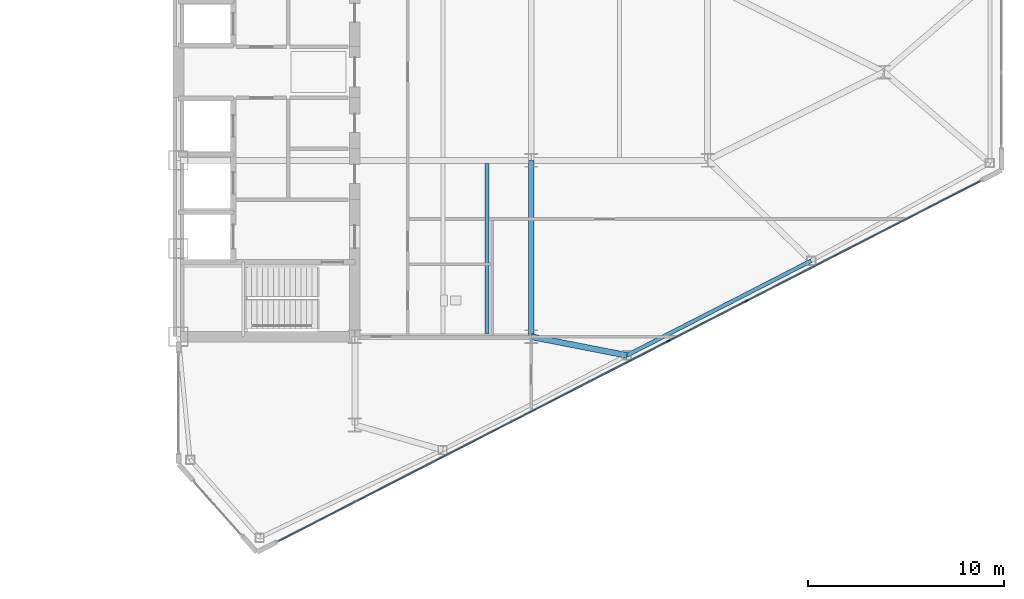
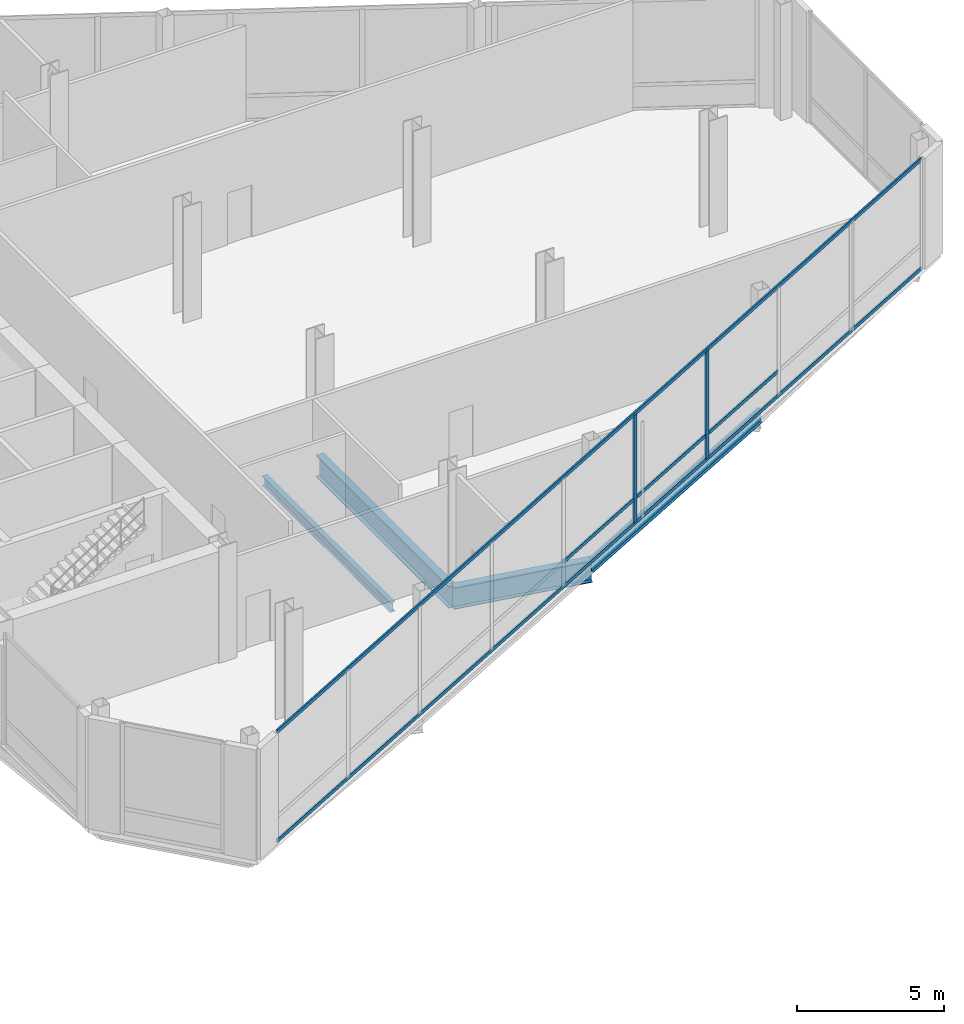
# One storey, part 9 of 22: 7 members, 4 beams, 1 element without a shape of its own.
"""IFC4 building model written with IfcOpenShell, lengths in metres."""

import ifcopenshell
import ifcopenshell.guid

model = None  # the IFC model being written
_history = None  # IfcOwnerHistory: only IFC2X3 demands one
_inside = {}  # id of a spatial element -> (the spatial element, [elements in it])
_under = {}  # id of a project, library or spatial element -> (it, [spatial elements below it])
_declared = {}  # id of a project -> (the project, [libraries it declares])
_typed = {}  # id of a type object -> (the type object, [elements of that type])
_made_of = {}  # id of a material, layer set ... -> (it, [elements and type objects made of it])


def new_model(schema):
    """Start an empty IFC model of exactly this schema.

    Asked for "IFC4X3", IfcOpenShell would pick the latest addendum, in which some entities
    have other attributes; the version numbers below select the first issue.
    IFC2X3 requires an IfcOwnerHistory on every rooted entity: one is made here for all.
    """
    global model, _history
    if schema == "IFC4X3":
        model = ifcopenshell.file(schema_version=(4, 3, 0, 0))
    else:
        model = ifcopenshell.file(schema=schema)
    _inside.clear()
    _under.clear()
    _declared.clear()
    _typed.clear()
    _made_of.clear()
    _history = None
    if model.schema == "IFC2X3":
        org = make("IfcOrganization", Name="unknown")
        user = make(
            "IfcPersonAndOrganization",
            ThePerson=make("IfcPerson", FamilyName="unknown"),
            TheOrganization=org,
        )
        app = make(
            "IfcApplication",
            ApplicationDeveloper=org,
            Version="unknown",
            ApplicationFullName="unknown",
            ApplicationIdentifier="unknown",
        )
        _history = make(
            "IfcOwnerHistory",
            OwningUser=user,
            OwningApplication=app,
            ChangeAction="ADDED",
            CreationDate=0,
        )
    return model


def make(cls, **values):
    """One entity of the class cls with the attributes given. An attribute that is None is left unset."""
    return model.create_entity(
        cls, **{name: value for name, value in values.items() if value is not None}
    )


def rooted(cls, **values):
    """An entity with a GlobalId (a new one), such as an element, a storey or a relation."""
    return make(cls, GlobalId=ifcopenshell.guid.new(), OwnerHistory=_history, **values)


def si_unit(unit_type, name, prefix=None):
    """IfcSIUnit, for example si_unit("LENGTHUNIT", "METRE", prefix="MILLI")."""
    return make("IfcSIUnit", UnitType=unit_type, Prefix=prefix, Name=name)


def assignment(units):
    """IfcUnitAssignment: the units of a project."""
    return None if units is None else make("IfcUnitAssignment", Units=units)


def point(xyz):
    """IfcCartesianPoint."""
    return None if xyz is None else make("IfcCartesianPoint", Coordinates=xyz)


def direction(xyz):
    """IfcDirection."""
    return None if xyz is None else make("IfcDirection", DirectionRatios=xyz)


def frame(location, z_axis=None, x_axis=None):
    """IfcAxis2Placement3D, a coordinate frame: its origin and axes. An axis left out is left unset."""
    return make(
        "IfcAxis2Placement3D",
        Location=point(location),
        Axis=direction(z_axis),
        RefDirection=direction(x_axis),
    )


def frame_2d(location, x_axis=None):
    """IfcAxis2Placement2D, a coordinate frame in the plane: its origin and x axis."""
    return make(
        "IfcAxis2Placement2D", Location=point(location), RefDirection=direction(x_axis)
    )


def origin():
    """The frame at (0, 0, 0) with its axes left unset."""
    return frame((0.0, 0.0, 0.0))


def origin_2d():
    """The frame at (0, 0) in the plane with its x axis left unset."""
    return frame_2d((0.0, 0.0))


def place(relative_to, where):
    """IfcLocalPlacement: puts the frame where relative to a parent placement (None: the world)."""
    return make(
        "IfcLocalPlacement", PlacementRelTo=relative_to, RelativePlacement=where
    )


def context(
    kind, dimensions, precision=None, world=None, true_north=None, identifier=None
):
    """IfcGeometricRepresentationContext, for example the 3D "Model" context."""
    return make(
        "IfcGeometricRepresentationContext",
        ContextIdentifier=identifier,
        ContextType=kind,
        CoordinateSpaceDimension=dimensions,
        Precision=precision,
        WorldCoordinateSystem=world,
        TrueNorth=true_north,
    )


def subcontext(parent, identifier, kind, view, scale=None):
    """IfcGeometricRepresentationSubContext, for example "Body" below "Model"."""
    return make(
        "IfcGeometricRepresentationSubContext",
        ContextIdentifier=identifier,
        ContextType=kind,
        ParentContext=parent,
        TargetScale=scale,
        TargetView=view,
    )


def project(units=None, contexts=None):
    """IfcProject with its units and contexts."""
    return rooted(
        "IfcProject",
        Name="project",
        RepresentationContexts=contexts,
        UnitsInContext=assignment(units),
    )


def spatial(cls, under=None, at=None, **own):
    """A site, building, storey or space (cls), placed at a placement, below another one or the project."""
    s = rooted(cls, ObjectPlacement=at, **own)
    if under is not None:
        _under.setdefault(under.id(), (under, []))[1].append(s)
    return s


def profile(cls, at=None, kind="AREA", **sizes):
    """A parametric profile (cls). Its sizes go by their IFC names, for example OverallWidth=200.0."""
    return make(cls, ProfileType=kind, Position=at, **sizes)


def rectangle(**sizes):
    """IfcRectangleProfileDef."""
    return profile("IfcRectangleProfileDef", **sizes)


def i_section(**sizes):
    """IfcIShapeProfileDef."""
    return profile("IfcIShapeProfileDef", **sizes)


def extrude(swept, where, along, depth):
    """IfcExtrudedAreaSolid: the profile swept, set in the frame where, extruded along a direction by depth."""
    return make(
        "IfcExtrudedAreaSolid",
        SweptArea=swept,
        Position=where,
        ExtrudedDirection=direction(along),
        Depth=depth,
    )


def shape(context_of_items, identifier, shape_type, items):
    """IfcShapeRepresentation: the items that make up one representation, for example the "Body"."""
    return make(
        "IfcShapeRepresentation",
        ContextOfItems=context_of_items,
        RepresentationIdentifier=identifier,
        RepresentationType=shape_type,
        Items=items,
    )


def source(mapping_origin, context_of_items, identifier, shape_type, items):
    """IfcRepresentationMap: a shape defined once, which mapped items show again and again."""
    return make(
        "IfcRepresentationMap",
        MappingOrigin=mapping_origin,
        MappedRepresentation=shape(context_of_items, identifier, shape_type, items),
    )


def transform(
    local_origin,
    x_axis=None,
    y_axis=None,
    z_axis=None,
    scale=None,
    scale2=None,
    scale3=None,
    uniform=True,
):
    """IfcCartesianTransformationOperator3D, or its non-uniform kind. x_axis, y_axis, z_axis: its Axis1, 2, 3."""
    if uniform:
        return make(
            "IfcCartesianTransformationOperator3D",
            Axis1=direction(x_axis),
            Axis2=direction(y_axis),
            LocalOrigin=point(local_origin),
            Scale=scale,
            Axis3=direction(z_axis),
        )
    return make(
        "IfcCartesianTransformationOperator3DnonUniform",
        Axis1=direction(x_axis),
        Axis2=direction(y_axis),
        LocalOrigin=point(local_origin),
        Scale=scale,
        Axis3=direction(z_axis),
        Scale2=scale2,
        Scale3=scale3,
    )


def mapped(mapping_source, mapping_target):
    """IfcMappedItem: shows the shape of a source again, moved by a transform."""
    return make(
        "IfcMappedItem", MappingSource=mapping_source, MappingTarget=mapping_target
    )


def material(Name=None, Category=None):
    """IfcMaterial."""
    return make("IfcMaterial", Name=Name, Category=Category)


def layer(
    of_material, thickness, ventilated=None, Name=None, Category=None, Priority=None
):
    """IfcMaterialLayer: one layer of a wall or slab, of a material (None: an air gap)."""
    return make(
        "IfcMaterialLayer",
        Material=of_material,
        LayerThickness=thickness,
        IsVentilated=ventilated,
        Name=Name,
        Category=Category,
        Priority=Priority,
    )


def layer_set(layers, Name=None):
    """IfcMaterialLayerSet."""
    return make("IfcMaterialLayerSet", MaterialLayers=layers, LayerSetName=Name)


def material_profile(
    of_material, cross_section, Name=None, Category=None, Priority=None
):
    """IfcMaterialProfile: a cross section and its material."""
    return make(
        "IfcMaterialProfile",
        Name=Name,
        Material=of_material,
        Profile=cross_section,
        Priority=Priority,
        Category=Category,
    )


def profile_set(profiles, Name=None, composite=None):
    """IfcMaterialProfileSet."""
    return make(
        "IfcMaterialProfileSet",
        Name=Name,
        MaterialProfiles=profiles,
        CompositeProfile=composite,
    )


def made_of(thing, what):
    """Note that an element or type object is made of a material, layer set ...; save() writes the relation."""
    if what is not None:
        _made_of.setdefault(what.id(), (what, []))[1].append(thing)
    return thing


def type_object(cls, material=None, **own):
    """A type object (cls), such as IfcWallType, which elements share."""
    return made_of(rooted(cls, **own), material)


def type_shapes(of_type, sources):
    """Give a type object the sources (RepresentationMaps) that its elements show as mapped items."""
    of_type.RepresentationMaps = sources


def element(
    cls,
    number,
    at=None,
    inside=None,
    cuts=None,
    type_object=None,
    material=None,
    context=None,
    identifier="Body",
    shape_type=None,
    held_by="IfcProductDefinitionShape",
    body=None,
    shapes=None,
    **own,
):
    """One element of the class cls, such as IfcWall. Its Tag is "e" and its number.

    at: its placement. inside: the storey or other place that contains it. cuts: it is an
    opening in that element (IfcRelVoidsElement). A single representation is given by context,
    identifier, shape_type and body (its items); several are given by shapes. held_by: the class
    of the entity that holds the representations. save() writes the other relations.
    """
    e = rooted(cls, Tag="e%d" % number, ObjectPlacement=at, **own)
    if body is not None:
        shapes = [shape(context, identifier, shape_type, body)]
    if shapes is not None:
        e.Representation = make(held_by, Representations=shapes)
    if inside is not None:
        _inside.setdefault(inside.id(), (inside, []))[1].append(e)
    if cuts is not None:
        rooted(
            "IfcRelVoidsElement", RelatingBuildingElement=cuts, RelatedOpeningElement=e
        )
    if type_object is not None:
        _typed.setdefault(type_object.id(), (type_object, []))[1].append(e)
    return made_of(e, material)


def aggregate(whole, parts):
    """IfcRelAggregates: a whole, such as a stair, and the parts it consists of."""
    return rooted("IfcRelAggregates", RelatingObject=whole, RelatedObjects=parts)


def save(model, path):
    """Write the relations noted so far, then the file.

    IfcRelAggregates (storeys below a building ...), IfcRelContainedInSpatialStructure (elements
    in a storey), IfcRelDefinesByType, IfcRelAssociatesMaterial and IfcRelDeclares: one each for
    every whole, place, type object, material and project.
    """
    for whole, parts in _under.values():
        aggregate(whole, parts)
    for where, things in _inside.values():
        rooted(
            "IfcRelContainedInSpatialStructure",
            RelatedElements=things,
            RelatingStructure=where,
        )
    for kind, things in _typed.values():
        rooted("IfcRelDefinesByType", RelatedObjects=things, RelatingType=kind)
    for what, things in _made_of.values():
        rooted("IfcRelAssociatesMaterial", RelatedObjects=things, RelatingMaterial=what)
    for by, libraries in _declared.values():
        rooted("IfcRelDeclares", RelatingContext=by, RelatedDefinitions=libraries)
    model.write(path)


model = new_model("IFC4")

# Units and contexts
model_context = context("Model", 3, precision=1e-05, world=origin(), true_north=direction((0.0, 1.0)))
body_context = subcontext(model_context, "Body", "Model", "MODEL_VIEW")
ifc_project = project(units=[si_unit("LENGTHUNIT", "METRE"), si_unit("AREAUNIT", "SQUARE_METRE"), si_unit("VOLUMEUNIT", "CUBIC_METRE"), si_unit("PLANEANGLEUNIT", "RADIAN"), si_unit("MASSUNIT", "GRAM", prefix="KILO")], contexts=[model_context])

# Site, building, storey
site_placement = place(None, origin())
site = spatial("IfcSite", under=ifc_project, at=site_placement, CompositionType="ELEMENT")
building_placement = place(site_placement, origin())
building = spatial("IfcBuilding", under=site, at=building_placement, Name="Seokmaru Belvedere", CompositionType="ELEMENT")
storey_placement = place(building_placement, frame((0.0, 0.0, 135.60009765625)))
storey = spatial("IfcBuildingStorey", under=building, at=storey_placement, Name="L36", CompositionType="ELEMENT", Elevation=135.60009765625)

# Beams
ifc_material_1 = material(Name="Steel SM355 (355 MPa)", Category="steel")
ifc_material_profile_1 = material_profile(ifc_material_1, i_section(OverallWidth=0.300048828125, OverallDepth=0.89990234375, WebThickness=0.01611328125, FlangeThickness=0.028076171875, at=origin_2d()), Name="H-900x300x16x28")
ifc_profile_set_1 = profile_set([ifc_material_profile_1], Name="Steel SM355 (355 MPa)")
beam_type_1 = type_object("IfcBeamType", Name="Refuge Floor Girder H-900", PredefinedType="BEAM", material=ifc_profile_set_1)
shared_shape_1 = source(origin(), body_context, "Body", "SweptSolid", [
    extrude(i_section(OverallWidth=0.300048828125, OverallDepth=0.89990234375, WebThickness=0.01611328125, FlangeThickness=0.028076171875, at=origin_2d()), origin(), (0.0, 0.0, 1.0), 9.0),
])
beam_1_placement = place(storey_placement, frame((45.5, -13.5, -0.710205078125), z_axis=(0.0, 1.0, 0.0), x_axis=(-1.0, 0.0, 0.0)))
element("IfcBeam", 1, at=beam_1_placement, inside=storey, type_object=beam_type_1, Name="L36 E Interior Grid Girder 1", PredefinedType="BEAM", context=body_context, shape_type="MappedRepresentation", body=[
    mapped(shared_shape_1, transform((0.0, 0.0, 0.0), scale=1.0)),
])
ifc_material_profile_2 = material_profile(ifc_material_1, i_section(OverallWidth=0.199951171875, OverallDepth=0.39990234375, WebThickness=0.008056640625, FlangeThickness=0.012939453125, at=origin_2d()), Name="H-400x200x8x13")
ifc_profile_set_2 = profile_set([ifc_material_profile_2], Name="Steel SM355 (355 MPa)")
beam_type_2 = type_object("IfcBeamType", Name="Secondary Floor Joist H-400", PredefinedType="JOIST", material=ifc_profile_set_2)
shared_shape_2 = source(origin(), body_context, "Body", "SweptSolid", [
    extrude(i_section(OverallWidth=0.199951171875, OverallDepth=0.39990234375, WebThickness=0.008056640625, FlangeThickness=0.012939453125, at=origin_2d()), origin(), (0.0, 0.0, 1.0), 8.68994140625),
])
type_shapes(beam_type_2, [shared_shape_2])
beam_2_placement = place(storey_placement, frame((43.25, -13.344970703125, -0.460205078125), z_axis=(0.0, 1.0, 0.0), x_axis=(-1.0, 0.0, 0.0)))
element("IfcBeam", 2, at=beam_2_placement, inside=storey, type_object=beam_type_2, Name="L36 E Wing Inner Secondary Joist 1", PredefinedType="JOIST", context=body_context, shape_type="MappedRepresentation", body=[
    mapped(shared_shape_2, transform((0.0, 0.0, 0.0), scale=1.0)),
])
ifc_material_profile_3 = material_profile(ifc_material_1, i_section(OverallWidth=0.199951171875, OverallDepth=0.550048828125, WebThickness=0.010009765625, FlangeThickness=0.01611328125, at=origin_2d()), Name="H-550x200x10x16")
ifc_profile_set_3 = profile_set([ifc_material_profile_3], Name="Steel SM355 (355 MPa)")
beam_type_3 = type_object("IfcBeamType", Name="Sky-Lobby Spandrel Beam H-550", PredefinedType="SPANDREL", material=ifc_profile_set_3)
shared_shape_3 = source(origin(), body_context, "Body", "SweptSolid", [
    extrude(i_section(OverallWidth=0.199951171875, OverallDepth=0.550048828125, WebThickness=0.010009765625, FlangeThickness=0.01611328125, at=origin_2d()), origin(), (0.0, 0.0, 1.0), 10.56689453125),
])
type_shapes(beam_type_3, [shared_shape_3])
beam_3_placement = place(storey_placement, frame((50.377197265625, -14.453369140625, -0.53515625), z_axis=(0.889692588006, 0.456560071455, 0.0), x_axis=(-0.456560071455, 0.889692588006, 0.0)))
element("IfcBeam", 3, at=beam_3_placement, inside=storey, type_object=beam_type_3, Name="L36 E Faceted Flank Spandrel S-3", PredefinedType="SPANDREL", context=body_context, shape_type="MappedRepresentation", body=[
    mapped(shared_shape_3, transform((0.0, 0.0, 0.0), scale=1.0)),
])
shared_shape_4 = source(origin(), body_context, "Body", "SweptSolid", [
    extrude(i_section(OverallWidth=0.300048828125, OverallDepth=0.89990234375, WebThickness=0.01611328125, FlangeThickness=0.028076171875, at=origin_2d()), origin(), (0.0, 0.0, 1.0), 4.969482421875),
])
type_shapes(beam_type_1, [shared_shape_1, shared_shape_4])
beam_4_placement = place(storey_placement, frame((50.377197265625, -14.453369140625, -0.710205078125), z_axis=(-0.98142544456, 0.19184393858, 0.0), x_axis=(-0.19184393858, -0.98142544456, 0.0)))
element("IfcBeam", 4, at=beam_4_placement, inside=storey, type_object=beam_type_1, Name="L36 E Flank Radial Floor Girder S-2", PredefinedType="BEAM", context=body_context, shape_type="MappedRepresentation", body=[
    mapped(shared_shape_4, transform((0.0, 0.0, 0.0), scale=1.0)),
])

# Curtain wall, members
ifc_material_2 = material(Name="Bronze Triple Insulating Glass", Category="glass")
ifc_layer = layer(ifc_material_2, 0.195068359375)
ifc_layer_set = layer_set([ifc_layer], Name="Bronze Triple Insulating Glass")
curtain_wall_type = type_object("IfcCurtainWallType", Name="Sky-Lobby and Mid-Rise Curtain Wall System CW-4", PredefinedType="NOTDEFINED", material=ifc_layer_set)
curtain_wall_placement = place(storey_placement, origin())
curtain_wall = element("IfcCurtainWall", 5, at=curtain_wall_placement, inside=storey, type_object=curtain_wall_type, Name="L36 Curtain Wall EF1", PredefinedType="NOTDEFINED")
ifc_material_3 = material(Name="Anodised Bronze Aluminium", Category="aluminium")
ifc_material_profile_4 = material_profile(ifc_material_3, rectangle(XDim=0.06494140625, YDim=0.14990234375, at=origin_2d()), Name="CW-T-65x150")
ifc_profile_set_4 = profile_set([ifc_material_profile_4], Name="Anodised Bronze Aluminium")
member_type_1 = type_object("IfcMemberType", Name="Bronze Unitised Transom 65x150", PredefinedType="USERDEFINED", material=ifc_profile_set_4)
shared_shape_5 = source(origin(), body_context, "Body", "SweptSolid", [
    extrude(rectangle(XDim=0.06494140625, YDim=0.14990234375, at=origin_2d()), origin(), (0.0, 0.0, 1.0), 40.271240234375),
])
member_1_placement = place(storey_placement, frame((32.58544921875, -23.943115234375, 0.032470703125), z_axis=(0.889693089107, 0.456559094965, 0.0), x_axis=(-0.456559094965, 0.889693089107, 0.0)))
member_1 = element("IfcMember", 6, at=member_1_placement, type_object=member_type_1, Name="CW:L36:EF1 Continuous Transom 1", ObjectType="TRANSOM", PredefinedType="USERDEFINED", context=body_context, shape_type="MappedRepresentation", body=[
    mapped(shared_shape_5, transform((0.0, 0.0, 0.0), scale=1.0)),
])
member_2_placement = place(storey_placement, frame((32.58544921875, -23.943115234375, 4.54736328125), z_axis=(0.889693089107, 0.456559094965, 0.0), x_axis=(-0.456559094965, 0.889693089107, 0.0)))
member_2 = element("IfcMember", 7, at=member_2_placement, type_object=member_type_1, Name="CW:L36:EF1 Continuous Transom 2", ObjectType="TRANSOM", PredefinedType="USERDEFINED", context=body_context, shape_type="MappedRepresentation", body=[
    mapped(shared_shape_5, transform((0.0, 0.0, 0.0), scale=1.0)),
])
ifc_material_profile_5 = material_profile(ifc_material_3, rectangle(XDim=0.070068359375, YDim=0.195068359375, at=origin_2d()), Name="CW-M-70x195")
ifc_profile_set_5 = profile_set([ifc_material_profile_5], Name="Anodised Bronze Aluminium")
member_type_2 = type_object("IfcMemberType", Name="Bronze Unitised Mullion 70x195", PredefinedType="MULLION", material=ifc_profile_set_5)
shared_shape_6 = source(origin(), body_context, "Body", "SweptSolid", [
    extrude(rectangle(XDim=0.070068359375, YDim=0.195068359375, at=origin_2d()), origin(), (0.0, 0.0, 1.0), 4.449951171875),
])
type_shapes(member_type_2, [shared_shape_6])
member_3_placement = place(storey_placement, frame((52.497314453125, -13.72509765625, 0.06494140625), z_axis=(0.0, 0.0, 1.0), x_axis=(-0.456554528263, 0.889695432562, 0.0)))
member_3 = element("IfcMember", 8, at=member_3_placement, type_object=member_type_2, Name="CW:L36:EF1 Mullion 6", PredefinedType="MULLION", context=body_context, shape_type="MappedRepresentation", body=[
    mapped(shared_shape_6, transform((0.0, 0.0, 0.0), scale=1.0)),
])
member_4_placement = place(storey_placement, frame((56.4921875, -11.675048828125, 0.06494140625), z_axis=(0.0, 0.0, 1.0), x_axis=(-0.456554528263, 0.889695432562, 0.0)))
member_4 = element("IfcMember", 9, at=member_4_placement, type_object=member_type_2, Name="CW:L36:EF1 Mullion 7", PredefinedType="MULLION", context=body_context, shape_type="MappedRepresentation", body=[
    mapped(shared_shape_6, transform((0.0, 0.0, 0.0), scale=1.0)),
])
shared_shape_7 = source(origin(), body_context, "Body", "SweptSolid", [
    extrude(rectangle(XDim=0.06494140625, YDim=0.14990234375, at=origin_2d()), origin(), (0.0, 0.0, 1.0), 4.420166015625),
])
type_shapes(member_type_1, [shared_shape_5, shared_shape_7])
member_5_placement = place(storey_placement, frame((48.53369140625, -15.759033203125, 1.0498046875), z_axis=(0.88969437082, 0.456556597293, 0.0), x_axis=(-0.456556597293, 0.88969437082, 0.0)))
member_5 = element("IfcMember", 10, at=member_5_placement, type_object=member_type_1, Name="CW:L36:EF1 Spandrel Transom 5", ObjectType="TRANSOM", PredefinedType="USERDEFINED", context=body_context, shape_type="MappedRepresentation", body=[
    mapped(shared_shape_7, transform((0.0, 0.0, 0.0), scale=1.0)),
])
member_6_placement = place(storey_placement, frame((52.528564453125, -13.708984375, 1.0498046875), z_axis=(0.88969437082, 0.456556597293, 0.0), x_axis=(-0.456556597293, 0.88969437082, 0.0)))
member_6 = element("IfcMember", 11, at=member_6_placement, type_object=member_type_1, Name="CW:L36:EF1 Spandrel Transom 6", ObjectType="TRANSOM", PredefinedType="USERDEFINED", context=body_context, shape_type="MappedRepresentation", body=[
    mapped(shared_shape_7, transform((0.0, 0.0, 0.0), scale=1.0)),
])
member_7_placement = place(storey_placement, frame((56.5234375, -11.658935546875, 1.0498046875), z_axis=(0.889716805756, 0.456512875563, 0.0), x_axis=(-0.456512875563, 0.889716805756, 0.0)))
member_7 = element("IfcMember", 12, at=member_7_placement, type_object=member_type_1, Name="CW:L36:EF1 Spandrel Transom 7", ObjectType="TRANSOM", PredefinedType="USERDEFINED", context=body_context, shape_type="MappedRepresentation", body=[
    mapped(shared_shape_7, transform((0.0, 0.0, 0.0), scale=1.0)),
])
aggregate(curtain_wall, [member_3, member_4, member_1, member_2, member_5, member_6, member_7])

save(model, "model.ifc")
